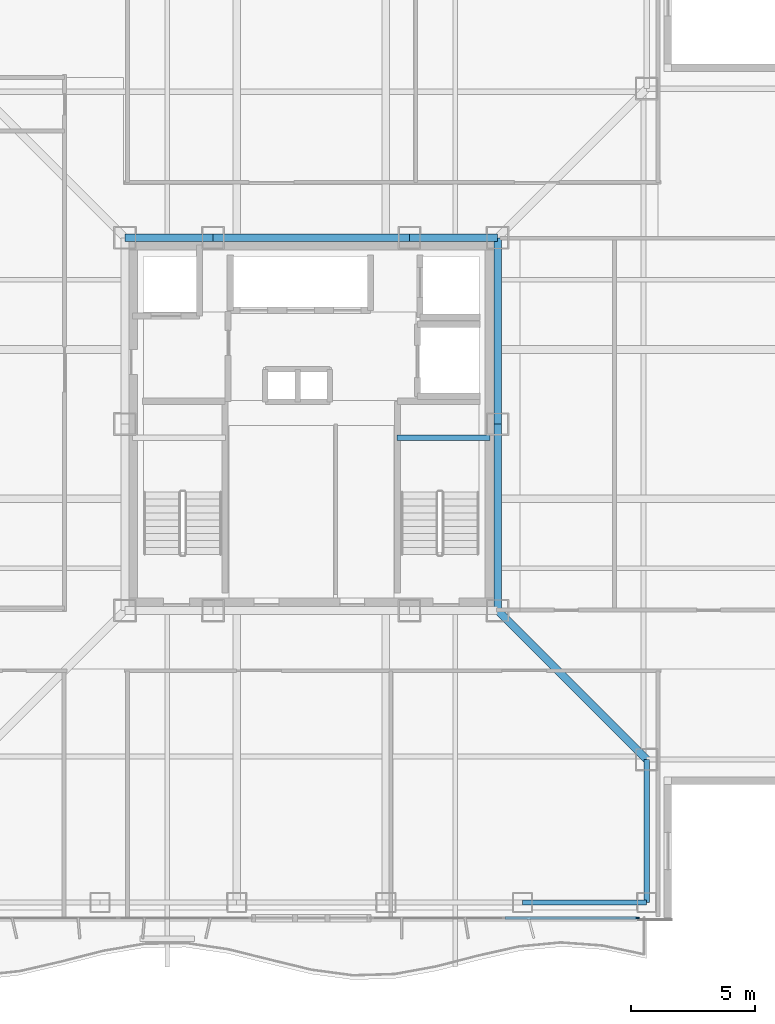
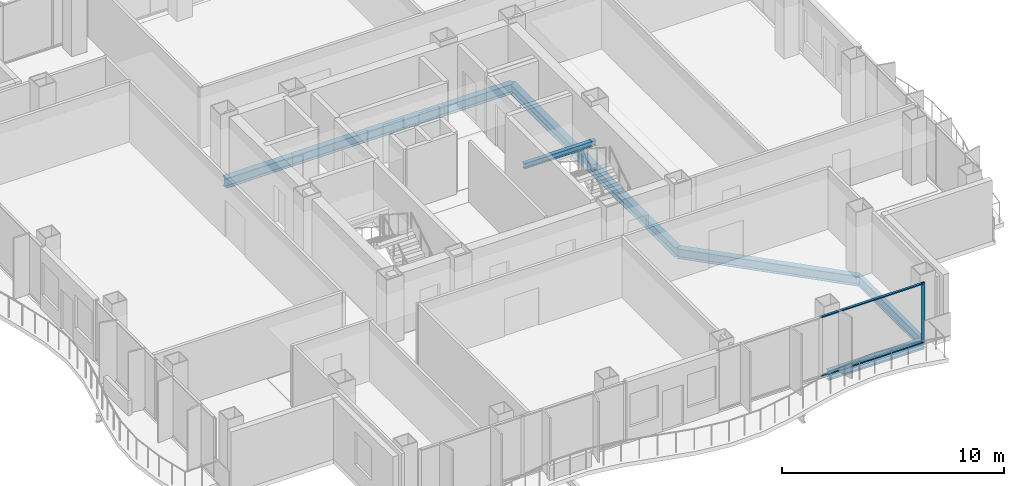
# One storey, part 5 of 16: 9 beams, 3 members, 1 element without a shape of its own.
"""IFC4 building model written with IfcOpenShell, lengths in metres."""

from ifc_helpers import new_model, si_unit, direction, frame, origin, origin_2d, place, context, subcontext, project, spatial, rectangle, i_section, extrude, material, layer, layer_set, material_profile, profile_set, type_object, element, aggregate, save


model = new_model("IFC4")

# Units and contexts
model_context = context("Model", 3, precision=1e-05, world=origin(), true_north=direction((0.0, 1.0)))
body_context = subcontext(model_context, "Body", "Model", "MODEL_VIEW")
ifc_project = project(units=[si_unit("LENGTHUNIT", "METRE"), si_unit("AREAUNIT", "SQUARE_METRE"), si_unit("VOLUMEUNIT", "CUBIC_METRE"), si_unit("PLANEANGLEUNIT", "RADIAN"), si_unit("MASSUNIT", "GRAM", prefix="KILO")], contexts=[model_context])

# Site, building, storey
site_placement = place(None, origin())
site = spatial("IfcSite", under=ifc_project, at=site_placement, CompositionType="ELEMENT")
building_placement = place(site_placement, origin())
building = spatial("IfcBuilding", under=site, at=building_placement, Name="Trevonay Congress Spire", CompositionType="ELEMENT")
storey_placement = place(building_placement, frame((0.0, 0.0, 195.0)))
storey = spatial("IfcBuildingStorey", under=building, at=storey_placement, Name="L50", CompositionType="ELEMENT", Elevation=195.0)

# Beams
ifc_material_1 = material(Name="Steel ASTM A572 Grade 50", Category="steel")
ifc_material_profile_1 = material_profile(ifc_material_1, i_section(OverallWidth=0.31201171875, OverallDepth=0.54296875, WebThickness=0.0126953125, FlangeThickness=0.020263671875, FilletRadius=0.014892578125, at=origin_2d()), Name="W530x150")
ifc_profile_set_1 = profile_set([ifc_material_profile_1], Name="Steel ASTM A572 Grade 50")
beam_type_1 = type_object("IfcBeamType", Name="BM-GIRD-W530X150", PredefinedType="BEAM", material=ifc_profile_set_1)
beam_1_placement = place(storey_placement, frame((-7.5, 7.5, -0.511474609375), z_axis=(1.0, 0.0, 0.0), x_axis=(0.0, 1.0, 0.0)))
element("IfcBeam", 1, at=beam_1_placement, inside=storey, type_object=beam_type_1, Name="L50 structural beam BM-L50-CR-N1", PredefinedType="BEAM", context=body_context, shape_type="SweptSolid", body=[
    extrude(i_section(OverallWidth=0.31201171875, OverallDepth=0.54296875, WebThickness=0.0126953125, FlangeThickness=0.020263671875, FilletRadius=0.014892578125, at=origin_2d()), origin(), (0.0, 0.0, 1.0), 3.550048828125),
])
beam_2_placement = place(storey_placement, frame((-3.949951171875, 7.5, -0.511474609375), z_axis=(1.0, 0.0, 0.0), x_axis=(0.0, 1.0, 0.0)))
element("IfcBeam", 2, at=beam_2_placement, inside=storey, type_object=beam_type_1, Name="L50 structural beam BM-L50-CR-N2", PredefinedType="BEAM", context=body_context, shape_type="SweptSolid", body=[
    extrude(i_section(OverallWidth=0.31201171875, OverallDepth=0.54296875, WebThickness=0.0126953125, FlangeThickness=0.020263671875, FilletRadius=0.014892578125, at=origin_2d()), origin(), (0.0, 0.0, 1.0), 7.89990234375),
])
beam_3_placement = place(storey_placement, frame((3.949951171875, 7.5, -0.511474609375), z_axis=(1.0, 0.0, 0.0), x_axis=(0.0, 1.0, 0.0)))
element("IfcBeam", 3, at=beam_3_placement, inside=storey, type_object=beam_type_1, Name="L50 structural beam BM-L50-CR-N3", PredefinedType="BEAM", context=body_context, shape_type="SweptSolid", body=[
    extrude(i_section(OverallWidth=0.31201171875, OverallDepth=0.54296875, WebThickness=0.0126953125, FlangeThickness=0.020263671875, FilletRadius=0.014892578125, at=origin_2d()), origin(), (0.0, 0.0, 1.0), 3.550048828125),
])
for number, where, z_axis, x_axis, name in (
    (4, (7.5, -7.5, -0.511474609375), (0.0, 1.0, 0.0), (-1.0, 0.0, 0.0), "L50 structural beam BM-L50-CR-E1"),
    (5, (7.5, 0.0, -0.511474609375), (0.0, 1.0, 0.0), (-1.0, 0.0, 0.0), "L50 structural beam BM-L50-CR-E2"),
):
    element("IfcBeam", number, at=place(storey_placement, frame(where, z_axis=z_axis, x_axis=x_axis)), inside=storey, type_object=beam_type_1, Name=name, PredefinedType="BEAM", context=body_context, shape_type="SweptSolid", body=[
        extrude(i_section(OverallWidth=0.31201171875, OverallDepth=0.54296875, WebThickness=0.0126953125, FlangeThickness=0.020263671875, FilletRadius=0.014892578125, at=origin_2d()), origin(), (0.0, 0.0, 1.0), 7.5),
    ])
beam_4_placement = place(storey_placement, frame((7.5, -7.5, -0.511474609375), z_axis=(0.707106781187, -0.707106781187, 0.0), x_axis=(0.707106781187, 0.707106781187, 0.0)))
element("IfcBeam", 6, at=beam_4_placement, inside=storey, type_object=beam_type_1, Name="L50 structural beam BM-L50-CDSE", PredefinedType="BEAM", context=body_context, shape_type="SweptSolid", body=[
    extrude(i_section(OverallWidth=0.31201171875, OverallDepth=0.54296875, WebThickness=0.0126953125, FlangeThickness=0.020263671875, FilletRadius=0.014892578125, at=origin_2d()), origin(), (0.0, 0.0, 1.0), 8.4853515625),
])
ifc_material_profile_2 = material_profile(ifc_material_1, i_section(OverallWidth=0.2119140625, OverallDepth=0.5439453125, WebThickness=0.01318359375, FlangeThickness=0.021240234375, FilletRadius=0.014892578125, at=origin_2d()), Name="W530x123")
ifc_profile_set_2 = profile_set([ifc_material_profile_2], Name="Steel ASTM A572 Grade 50")
beam_type_2 = type_object("IfcBeamType", Name="BM-RING-W530X123", PredefinedType="BEAM", material=ifc_profile_set_2)
beam_5_placement = place(storey_placement, frame((8.5, -19.25, -0.511962890625), z_axis=(1.0, 0.0, 0.0), x_axis=(0.0, 1.0, 0.0)))
element("IfcBeam", 7, at=beam_5_placement, inside=storey, type_object=beam_type_2, Name="L50 structural beam BM-L50-PS5", PredefinedType="BEAM", context=body_context, shape_type="SweptSolid", body=[
    extrude(i_section(OverallWidth=0.2119140625, OverallDepth=0.5439453125, WebThickness=0.01318359375, FlangeThickness=0.021240234375, FilletRadius=0.014892578125, at=origin_2d()), origin(), (0.0, 0.0, 1.0), 5.0),
])
beam_6_placement = place(storey_placement, frame((13.5, -19.25, -0.511962890625), z_axis=(0.0, 1.0, 0.0), x_axis=(-1.0, 0.0, 0.0)))
element("IfcBeam", 8, at=beam_6_placement, inside=storey, type_object=beam_type_2, Name="L50 structural beam BM-L50-N1SE", PredefinedType="BEAM", context=body_context, shape_type="SweptSolid", body=[
    extrude(i_section(OverallWidth=0.2119140625, OverallDepth=0.5439453125, WebThickness=0.01318359375, FlangeThickness=0.021240234375, FilletRadius=0.014892578125, at=origin_2d()), origin(), (0.0, 0.0, 1.0), 5.75),
])

# Curtain wall, members
ifc_material_2 = material(Name="Pale Anodised Aluminium EN AW-6063-T6", Category="aluminium")
ifc_layer = layer(ifc_material_2, 0.169921875, Name="Pale Anodised Aluminium EN AW-6063-T6")
ifc_layer_set = layer_set([ifc_layer], Name="Pale Anodised Aluminium EN AW-6063-T6")
curtain_wall_type = type_object("IfcCurtainWallType", Name="CW-SYS04-CORP-PALE-METAL", PredefinedType="NOTDEFINED", material=ifc_layer_set)
curtain_wall_placement = place(storey_placement, origin())
curtain_wall = element("IfcCurtainWall", 9, at=curtain_wall_placement, inside=storey, type_object=curtain_wall_type, Name="L50 SB unitised curtain wall", PredefinedType="NOTDEFINED")
ifc_material_profile_3 = material_profile(ifc_material_2, rectangle(XDim=0.06005859375, YDim=0.159912109375, at=origin_2d()), Name="CW-MULLION-160-ALUMINIUM")
ifc_profile_set_3 = profile_set([ifc_material_profile_3], Name="Pale Anodised Aluminium EN AW-6063-T6")
member_type_1 = type_object("IfcMemberType", Name="CW-MULLION-160-ALUMINIUM", PredefinedType="MULLION", material=ifc_profile_set_3)
member_1_placement = place(storey_placement, frame((13.1201171875, -19.8798828125, 0.0), z_axis=(0.0, 0.0, 1.0), x_axis=(0.0, 1.0, 0.0)))
member_1 = element("IfcMember", 10, at=member_1_placement, type_object=member_type_1, Name="CW04 mullion 3", PredefinedType="MULLION", context=body_context, shape_type="SweptSolid", body=[
    extrude(rectangle(XDim=0.06005859375, YDim=0.159912109375, at=origin_2d()), origin(), (0.0, 0.0, 1.0), 3.360107421875),
])
ifc_material_profile_4 = material_profile(ifc_material_2, rectangle(XDim=0.1201171875, YDim=0.06005859375, at=origin_2d()), Name="CW-TRANSOM-120-ALUMINIUM")
ifc_profile_set_4 = profile_set([ifc_material_profile_4], Name="Pale Anodised Aluminium EN AW-6063-T6")
member_type_2 = type_object("IfcMemberType", Name="CW-TRANSOM-120-ALUMINIUM", PredefinedType="USERDEFINED", material=ifc_profile_set_4)
member_2_placement = place(storey_placement, frame((7.804931640625, -19.8798828125, 0.06005859375), z_axis=(1.0, 0.0, 0.0), x_axis=(0.0, 1.0, 0.0)))
member_2 = element("IfcMember", 11, at=member_2_placement, type_object=member_type_2, Name="CW04 transom 2.1", ObjectType="TRANSOM", PredefinedType="USERDEFINED", context=body_context, shape_type="SweptSolid", body=[
    extrude(rectangle(XDim=0.1201171875, YDim=0.06005859375, at=origin_2d()), origin(), (0.0, 0.0, 1.0), 5.28515625),
])
member_3_placement = place(storey_placement, frame((7.804931640625, -19.8798828125, 3.300048828125), z_axis=(1.0, 0.0, 0.0), x_axis=(0.0, 1.0, 0.0)))
member_3 = element("IfcMember", 12, at=member_3_placement, type_object=member_type_2, Name="CW04 transom 2.2", ObjectType="TRANSOM", PredefinedType="USERDEFINED", context=body_context, shape_type="SweptSolid", body=[
    extrude(rectangle(XDim=0.1201171875, YDim=0.06005859375, at=origin_2d()), origin(), (0.0, 0.0, 1.0), 5.28515625),
])
aggregate(curtain_wall, [member_1, member_2, member_3])

# Beam
ifc_material_profile_5 = material_profile(ifc_material_1, i_section(OverallWidth=0.2041015625, OverallDepth=0.305908203125, WebThickness=0.008544921875, FlangeThickness=0.0146484375, FilletRadius=0.010986328125, at=origin_2d()), Name="W310x67")
ifc_profile_set_5 = profile_set([ifc_material_profile_5], Name="Steel ASTM A572 Grade 50")
beam_type_3 = type_object("IfcBeamType", Name="LN-CORE-W310X67", PredefinedType="LINTEL", material=ifc_profile_set_5)
beam_7_placement = place(storey_placement, frame((3.449951171875, -0.550048828125, 1.447021484375), z_axis=(1.0, 0.0, 0.0), x_axis=(0.0, 1.0, 0.0)))
element("IfcBeam", 13, at=beam_7_placement, inside=storey, type_object=beam_type_3, Name="L50 structural beam BM-L50-HL-ST2", PredefinedType="LINTEL", context=body_context, shape_type="SweptSolid", body=[
    extrude(i_section(OverallWidth=0.2041015625, OverallDepth=0.305908203125, WebThickness=0.008544921875, FlangeThickness=0.0146484375, FilletRadius=0.010986328125, at=origin_2d()), origin(), (0.0, 0.0, 1.0), 3.75),
])

save(model, "model.ifc")
